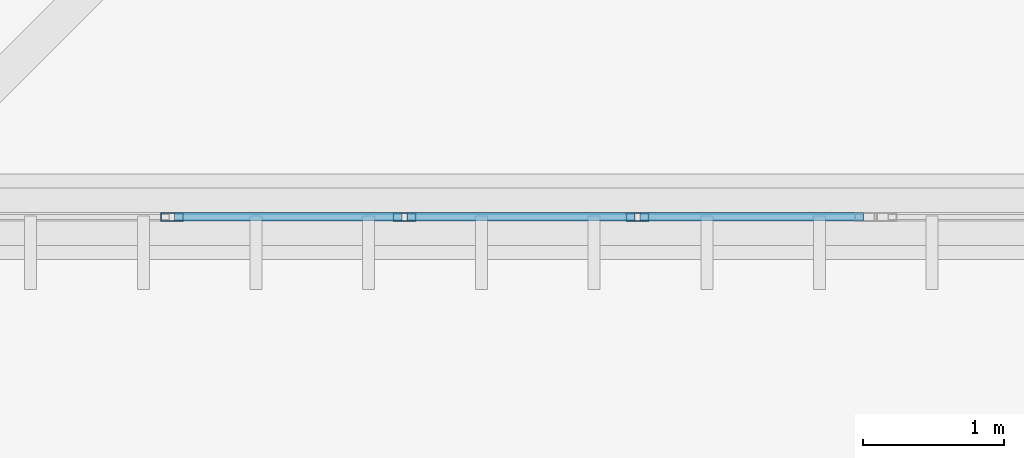
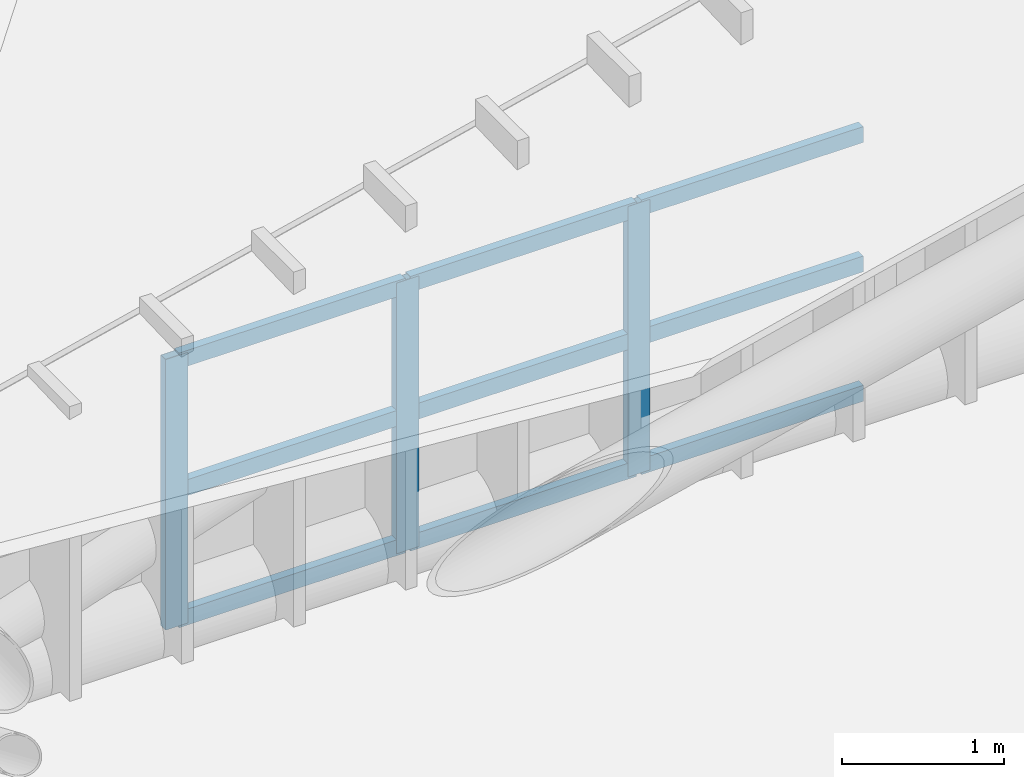
# One storey, part 3 of 397: 12 members, 1 element without a shape of its own.
"""IFC4 building model written with IfcOpenShell, lengths in metres."""

from ifc_helpers import new_model, si_unit, direction, frame, origin, origin_2d, place, context, subcontext, project, spatial, hollow_rectangle, extrude, material, material_profile, profile_set, type_object, element, aggregate, save


model = new_model("IFC4")

# Units and contexts
model_context = context("Model", 3, precision=1e-05, world=origin(), true_north=direction((0.0, 1.0)))
body_context = subcontext(model_context, "Body", "Model", "MODEL_VIEW")
ifc_project = project(units=[si_unit("LENGTHUNIT", "METRE"), si_unit("AREAUNIT", "SQUARE_METRE"), si_unit("VOLUMEUNIT", "CUBIC_METRE"), si_unit("PLANEANGLEUNIT", "RADIAN"), si_unit("MASSUNIT", "GRAM", prefix="KILO")], contexts=[model_context])

# Site, building, storey
site_placement = place(None, origin())
site = spatial("IfcSite", under=ifc_project, at=site_placement, CompositionType="ELEMENT")
building_placement = place(site_placement, origin())
building = spatial("IfcBuilding", under=site, at=building_placement, Name="Qandorah Velis Arena", CompositionType="ELEMENT")
storey_placement = place(building_placement, frame((0.0, 0.0, 27.5)))
storey = spatial("IfcBuildingStorey", under=building, at=storey_placement, Name="RF", CompositionType="ELEMENT", Elevation=27.5)

# Curtain wall, members
ifc_material_1 = material(Name="Solar-control low-E double glazing", Category="glass")
curtain_wall_type = type_object("IfcCurtainWallType", Name="ARC-CW-SYS17", PredefinedType="USERDEFINED", material=ifc_material_1)
curtain_wall_placement = place(storey_placement, origin())
curtain_wall = element("IfcCurtainWall", 1, at=curtain_wall_placement, inside=storey, type_object=curtain_wall_type, Name="Unitised curtain wall CROWN-3-01S1", ObjectType="UNITISED CURTAIN WALL", PredefinedType="USERDEFINED")
ifc_material_2 = material(Name="Champagne-bronze anodized aluminium 6063-T6", Category="aluminium")
ifc_material_profile_1 = material_profile(ifc_material_2, hollow_rectangle(XDim=0.06005859375, YDim=0.159912109375, WallThickness=0.00341796875, at=origin_2d()), Name="ALU MULLION 60x160")
ifc_profile_set_1 = profile_set([ifc_material_profile_1], Name="Champagne-bronze anodized aluminium 6063-T6")
member_type_1 = type_object("IfcMemberType", Name="ARC-CWM-160", PredefinedType="MULLION", material=ifc_profile_set_1)
member_1_placement = place(storey_placement, frame((16.6025390625, 14.39990234375, -0.014892578125), z_axis=(0.0, 0.0, 1.0), x_axis=(0.0, 1.0, 0.0)))
member_1 = element("IfcMember", 2, at=member_1_placement, type_object=member_type_1, Name="CW17 mullion 2", PredefinedType="MULLION", context=body_context, shape_type="SweptSolid", body=[
    extrude(hollow_rectangle(XDim=0.06005859375, YDim=0.159912109375, WallThickness=0.00341796875, at=origin_2d()), origin(), (0.0, 0.0, 1.0), 2.04541015625),
])
member_2_placement = place(storey_placement, frame((18.2548828125, 14.39990234375, -0.014892578125), z_axis=(0.0, 0.0, 1.0), x_axis=(0.0, 1.0, 0.0)))
member_2 = element("IfcMember", 3, at=member_2_placement, type_object=member_type_1, Name="CW17 mullion 3", PredefinedType="MULLION", context=body_context, shape_type="SweptSolid", body=[
    extrude(hollow_rectangle(XDim=0.06005859375, YDim=0.159912109375, WallThickness=0.00341796875, at=origin_2d()), origin(), (0.0, 0.0, 1.0), 2.04541015625),
])
member_3_placement = place(storey_placement, frame((19.907470703125, 14.39990234375, -0.014892578125), z_axis=(0.0, 0.0, 1.0), x_axis=(0.0, 1.0, 0.0)))
member_3 = element("IfcMember", 4, at=member_3_placement, type_object=member_type_1, Name="CW17 mullion 4", PredefinedType="MULLION", context=body_context, shape_type="SweptSolid", body=[
    extrude(hollow_rectangle(XDim=0.06005859375, YDim=0.159912109375, WallThickness=0.00341796875, at=origin_2d()), origin(), (0.0, 0.0, 1.0), 2.04541015625),
])
ifc_material_profile_2 = material_profile(ifc_material_2, hollow_rectangle(XDim=0.06005859375, YDim=0.1201171875, WallThickness=0.0029296875, at=origin_2d()), Name="ALU TRANSOM 60x120")
ifc_profile_set_2 = profile_set([ifc_material_profile_2], Name="Champagne-bronze anodized aluminium 6063-T6")
member_type_2 = type_object("IfcMemberType", Name="ARC-CWT-120", PredefinedType="USERDEFINED", material=ifc_profile_set_2)
member_4_placement = place(storey_placement, frame((16.62060546875, 14.39990234375, 0.030029296875), z_axis=(1.0, 0.0, 0.0), x_axis=(0.0, 1.0, 0.0)))
member_4 = element("IfcMember", 5, at=member_4_placement, type_object=member_type_2, Name="CW17 transom 2.1", ObjectType="TRANSOM", PredefinedType="USERDEFINED", context=body_context, shape_type="SweptSolid", body=[
    extrude(hollow_rectangle(XDim=0.06005859375, YDim=0.1201171875, WallThickness=0.0029296875, at=origin_2d()), origin(), (0.0, 0.0, 1.0), 1.616455078125),
])
member_5_placement = place(storey_placement, frame((16.62060546875, 14.39990234375, 1.0078125), z_axis=(1.0, 0.0, 0.0), x_axis=(0.0, 1.0, 0.0)))
member_5 = element("IfcMember", 6, at=member_5_placement, type_object=member_type_2, Name="CW17 transom 2.2", ObjectType="TRANSOM", PredefinedType="USERDEFINED", context=body_context, shape_type="SweptSolid", body=[
    extrude(hollow_rectangle(XDim=0.06005859375, YDim=0.1201171875, WallThickness=0.0029296875, at=origin_2d()), origin(), (0.0, 0.0, 1.0), 1.616455078125),
])
member_6_placement = place(storey_placement, frame((16.62060546875, 14.39990234375, 1.985595703125), z_axis=(1.0, 0.0, 0.0), x_axis=(0.0, 1.0, 0.0)))
member_6 = element("IfcMember", 7, at=member_6_placement, type_object=member_type_2, Name="CW17 transom 2.3", ObjectType="TRANSOM", PredefinedType="USERDEFINED", context=body_context, shape_type="SweptSolid", body=[
    extrude(hollow_rectangle(XDim=0.06005859375, YDim=0.1201171875, WallThickness=0.0029296875, at=origin_2d()), origin(), (0.0, 0.0, 1.0), 1.616455078125),
])
member_7_placement = place(storey_placement, frame((18.27294921875, 14.39990234375, 0.030029296875), z_axis=(1.0, 0.0, 0.0), x_axis=(0.0, 1.0, 0.0)))
member_7 = element("IfcMember", 8, at=member_7_placement, type_object=member_type_2, Name="CW17 transom 3.1", ObjectType="TRANSOM", PredefinedType="USERDEFINED", context=body_context, shape_type="SweptSolid", body=[
    extrude(hollow_rectangle(XDim=0.06005859375, YDim=0.1201171875, WallThickness=0.0029296875, at=origin_2d()), origin(), (0.0, 0.0, 1.0), 1.616455078125),
])
member_8_placement = place(storey_placement, frame((18.27294921875, 14.39990234375, 1.0078125), z_axis=(1.0, 0.0, 0.0), x_axis=(0.0, 1.0, 0.0)))
member_8 = element("IfcMember", 9, at=member_8_placement, type_object=member_type_2, Name="CW17 transom 3.2", ObjectType="TRANSOM", PredefinedType="USERDEFINED", context=body_context, shape_type="SweptSolid", body=[
    extrude(hollow_rectangle(XDim=0.06005859375, YDim=0.1201171875, WallThickness=0.0029296875, at=origin_2d()), origin(), (0.0, 0.0, 1.0), 1.616455078125),
])
member_9_placement = place(storey_placement, frame((18.27294921875, 14.39990234375, 1.985595703125), z_axis=(1.0, 0.0, 0.0), x_axis=(0.0, 1.0, 0.0)))
member_9 = element("IfcMember", 10, at=member_9_placement, type_object=member_type_2, Name="CW17 transom 3.3", ObjectType="TRANSOM", PredefinedType="USERDEFINED", context=body_context, shape_type="SweptSolid", body=[
    extrude(hollow_rectangle(XDim=0.06005859375, YDim=0.1201171875, WallThickness=0.0029296875, at=origin_2d()), origin(), (0.0, 0.0, 1.0), 1.616455078125),
])
member_10_placement = place(storey_placement, frame((19.925537109375, 14.39990234375, 0.030029296875), z_axis=(1.0, 0.0, 0.0), x_axis=(0.0, 1.0, 0.0)))
member_10 = element("IfcMember", 11, at=member_10_placement, type_object=member_type_2, Name="CW17 transom 4.1", ObjectType="TRANSOM", PredefinedType="USERDEFINED", context=body_context, shape_type="SweptSolid", body=[
    extrude(hollow_rectangle(XDim=0.06005859375, YDim=0.1201171875, WallThickness=0.0029296875, at=origin_2d()), origin(), (0.0, 0.0, 1.0), 1.58642578125),
])
member_11_placement = place(storey_placement, frame((19.925537109375, 14.39990234375, 1.0078125), z_axis=(1.0, 0.0, 0.0), x_axis=(0.0, 1.0, 0.0)))
member_11 = element("IfcMember", 12, at=member_11_placement, type_object=member_type_2, Name="CW17 transom 4.2", ObjectType="TRANSOM", PredefinedType="USERDEFINED", context=body_context, shape_type="SweptSolid", body=[
    extrude(hollow_rectangle(XDim=0.06005859375, YDim=0.1201171875, WallThickness=0.0029296875, at=origin_2d()), origin(), (0.0, 0.0, 1.0), 1.58642578125),
])
member_12_placement = place(storey_placement, frame((19.925537109375, 14.39990234375, 1.985595703125), z_axis=(1.0, 0.0, 0.0), x_axis=(0.0, 1.0, 0.0)))
member_12 = element("IfcMember", 13, at=member_12_placement, type_object=member_type_2, Name="CW17 transom 4.3", ObjectType="TRANSOM", PredefinedType="USERDEFINED", context=body_context, shape_type="SweptSolid", body=[
    extrude(hollow_rectangle(XDim=0.06005859375, YDim=0.1201171875, WallThickness=0.0029296875, at=origin_2d()), origin(), (0.0, 0.0, 1.0), 1.58642578125),
])
aggregate(curtain_wall, [member_1, member_2, member_3, member_4, member_5, member_6, member_7, member_8, member_9, member_10, member_11, member_12])

save(model, "model.ifc")
